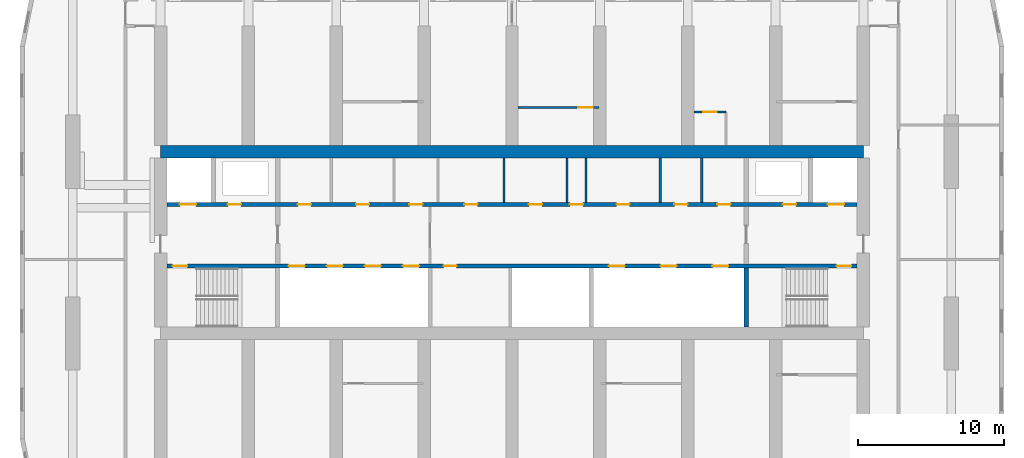
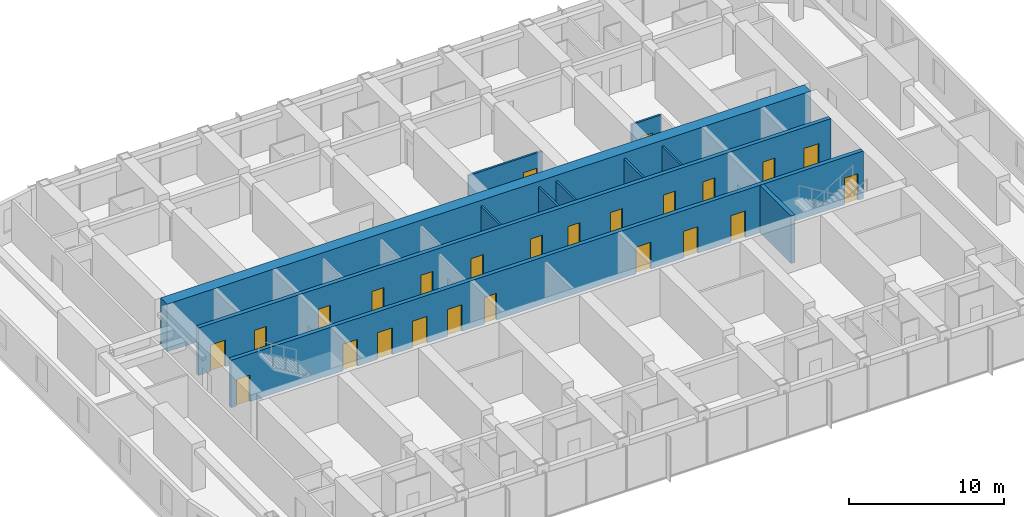
# One storey, part 13 of 22: 25 doors, 11 walls, 25 openings.
"""IFC4 building model written with IfcOpenShell, lengths in metres."""

import ifcopenshell
import ifcopenshell.guid

model = None  # the IFC model being written
_history = None  # IfcOwnerHistory: only IFC2X3 demands one
_inside = {}  # id of a spatial element -> (the spatial element, [elements in it])
_under = {}  # id of a project, library or spatial element -> (it, [spatial elements below it])
_declared = {}  # id of a project -> (the project, [libraries it declares])
_typed = {}  # id of a type object -> (the type object, [elements of that type])
_made_of = {}  # id of a material, layer set ... -> (it, [elements and type objects made of it])


def new_model(schema):
    """Start an empty IFC model of exactly this schema.

    Asked for "IFC4X3", IfcOpenShell would pick the latest addendum, in which some entities
    have other attributes; the version numbers below select the first issue.
    IFC2X3 requires an IfcOwnerHistory on every rooted entity: one is made here for all.
    """
    global model, _history
    if schema == "IFC4X3":
        model = ifcopenshell.file(schema_version=(4, 3, 0, 0))
    else:
        model = ifcopenshell.file(schema=schema)
    _inside.clear()
    _under.clear()
    _declared.clear()
    _typed.clear()
    _made_of.clear()
    _history = None
    if model.schema == "IFC2X3":
        org = make("IfcOrganization", Name="unknown")
        user = make(
            "IfcPersonAndOrganization",
            ThePerson=make("IfcPerson", FamilyName="unknown"),
            TheOrganization=org,
        )
        app = make(
            "IfcApplication",
            ApplicationDeveloper=org,
            Version="unknown",
            ApplicationFullName="unknown",
            ApplicationIdentifier="unknown",
        )
        _history = make(
            "IfcOwnerHistory",
            OwningUser=user,
            OwningApplication=app,
            ChangeAction="ADDED",
            CreationDate=0,
        )
    return model


def make(cls, **values):
    """One entity of the class cls with the attributes given. An attribute that is None is left unset."""
    return model.create_entity(
        cls, **{name: value for name, value in values.items() if value is not None}
    )


def rooted(cls, **values):
    """An entity with a GlobalId (a new one), such as an element, a storey or a relation."""
    return make(cls, GlobalId=ifcopenshell.guid.new(), OwnerHistory=_history, **values)


def si_unit(unit_type, name, prefix=None):
    """IfcSIUnit, for example si_unit("LENGTHUNIT", "METRE", prefix="MILLI")."""
    return make("IfcSIUnit", UnitType=unit_type, Prefix=prefix, Name=name)


def assignment(units):
    """IfcUnitAssignment: the units of a project."""
    return None if units is None else make("IfcUnitAssignment", Units=units)


def point(xyz):
    """IfcCartesianPoint."""
    return None if xyz is None else make("IfcCartesianPoint", Coordinates=xyz)


def direction(xyz):
    """IfcDirection."""
    return None if xyz is None else make("IfcDirection", DirectionRatios=xyz)


def frame(location, z_axis=None, x_axis=None):
    """IfcAxis2Placement3D, a coordinate frame: its origin and axes. An axis left out is left unset."""
    return make(
        "IfcAxis2Placement3D",
        Location=point(location),
        Axis=direction(z_axis),
        RefDirection=direction(x_axis),
    )


def frame_2d(location, x_axis=None):
    """IfcAxis2Placement2D, a coordinate frame in the plane: its origin and x axis."""
    return make(
        "IfcAxis2Placement2D", Location=point(location), RefDirection=direction(x_axis)
    )


def origin():
    """The frame at (0, 0, 0) with its axes left unset."""
    return frame((0.0, 0.0, 0.0))


def place(relative_to, where):
    """IfcLocalPlacement: puts the frame where relative to a parent placement (None: the world)."""
    return make(
        "IfcLocalPlacement", PlacementRelTo=relative_to, RelativePlacement=where
    )


def context(
    kind, dimensions, precision=None, world=None, true_north=None, identifier=None
):
    """IfcGeometricRepresentationContext, for example the 3D "Model" context."""
    return make(
        "IfcGeometricRepresentationContext",
        ContextIdentifier=identifier,
        ContextType=kind,
        CoordinateSpaceDimension=dimensions,
        Precision=precision,
        WorldCoordinateSystem=world,
        TrueNorth=true_north,
    )


def subcontext(parent, identifier, kind, view, scale=None):
    """IfcGeometricRepresentationSubContext, for example "Body" below "Model"."""
    return make(
        "IfcGeometricRepresentationSubContext",
        ContextIdentifier=identifier,
        ContextType=kind,
        ParentContext=parent,
        TargetScale=scale,
        TargetView=view,
    )


def project(units=None, contexts=None):
    """IfcProject with its units and contexts."""
    return rooted(
        "IfcProject",
        Name="project",
        RepresentationContexts=contexts,
        UnitsInContext=assignment(units),
    )


def spatial(cls, under=None, at=None, **own):
    """A site, building, storey or space (cls), placed at a placement, below another one or the project."""
    s = rooted(cls, ObjectPlacement=at, **own)
    if under is not None:
        _under.setdefault(under.id(), (under, []))[1].append(s)
    return s


def profile(cls, at=None, kind="AREA", **sizes):
    """A parametric profile (cls). Its sizes go by their IFC names, for example OverallWidth=200.0."""
    return make(cls, ProfileType=kind, Position=at, **sizes)


def rectangle(**sizes):
    """IfcRectangleProfileDef."""
    return profile("IfcRectangleProfileDef", **sizes)


def extrude(swept, where, along, depth):
    """IfcExtrudedAreaSolid: the profile swept, set in the frame where, extruded along a direction by depth."""
    return make(
        "IfcExtrudedAreaSolid",
        SweptArea=swept,
        Position=where,
        ExtrudedDirection=direction(along),
        Depth=depth,
    )


def shape(context_of_items, identifier, shape_type, items):
    """IfcShapeRepresentation: the items that make up one representation, for example the "Body"."""
    return make(
        "IfcShapeRepresentation",
        ContextOfItems=context_of_items,
        RepresentationIdentifier=identifier,
        RepresentationType=shape_type,
        Items=items,
    )


def material(Name=None, Category=None):
    """IfcMaterial."""
    return make("IfcMaterial", Name=Name, Category=Category)


def layer(
    of_material, thickness, ventilated=None, Name=None, Category=None, Priority=None
):
    """IfcMaterialLayer: one layer of a wall or slab, of a material (None: an air gap)."""
    return make(
        "IfcMaterialLayer",
        Material=of_material,
        LayerThickness=thickness,
        IsVentilated=ventilated,
        Name=Name,
        Category=Category,
        Priority=Priority,
    )


def layer_set(layers, Name=None):
    """IfcMaterialLayerSet."""
    return make("IfcMaterialLayerSet", MaterialLayers=layers, LayerSetName=Name)


def made_of(thing, what):
    """Note that an element or type object is made of a material, layer set ...; save() writes the relation."""
    if what is not None:
        _made_of.setdefault(what.id(), (what, []))[1].append(thing)
    return thing


def type_object(cls, material=None, **own):
    """A type object (cls), such as IfcWallType, which elements share."""
    return made_of(rooted(cls, **own), material)


def element(
    cls,
    number,
    at=None,
    inside=None,
    cuts=None,
    type_object=None,
    material=None,
    context=None,
    identifier="Body",
    shape_type=None,
    held_by="IfcProductDefinitionShape",
    body=None,
    shapes=None,
    **own,
):
    """One element of the class cls, such as IfcWall. Its Tag is "e" and its number.

    at: its placement. inside: the storey or other place that contains it. cuts: it is an
    opening in that element (IfcRelVoidsElement). A single representation is given by context,
    identifier, shape_type and body (its items); several are given by shapes. held_by: the class
    of the entity that holds the representations. save() writes the other relations.
    """
    e = rooted(cls, Tag="e%d" % number, ObjectPlacement=at, **own)
    if body is not None:
        shapes = [shape(context, identifier, shape_type, body)]
    if shapes is not None:
        e.Representation = make(held_by, Representations=shapes)
    if inside is not None:
        _inside.setdefault(inside.id(), (inside, []))[1].append(e)
    if cuts is not None:
        rooted(
            "IfcRelVoidsElement", RelatingBuildingElement=cuts, RelatedOpeningElement=e
        )
    if type_object is not None:
        _typed.setdefault(type_object.id(), (type_object, []))[1].append(e)
    return made_of(e, material)


def fill(opening, filler):
    """IfcRelFillsElement: the door or window that sits in an opening."""
    return rooted(
        "IfcRelFillsElement",
        RelatingOpeningElement=opening,
        RelatedBuildingElement=filler,
    )


def aggregate(whole, parts):
    """IfcRelAggregates: a whole, such as a stair, and the parts it consists of."""
    return rooted("IfcRelAggregates", RelatingObject=whole, RelatedObjects=parts)


def save(model, path):
    """Write the relations noted so far, then the file.

    IfcRelAggregates (storeys below a building ...), IfcRelContainedInSpatialStructure (elements
    in a storey), IfcRelDefinesByType, IfcRelAssociatesMaterial and IfcRelDeclares: one each for
    every whole, place, type object, material and project.
    """
    for whole, parts in _under.values():
        aggregate(whole, parts)
    for where, things in _inside.values():
        rooted(
            "IfcRelContainedInSpatialStructure",
            RelatedElements=things,
            RelatingStructure=where,
        )
    for kind, things in _typed.values():
        rooted("IfcRelDefinesByType", RelatedObjects=things, RelatingType=kind)
    for what, things in _made_of.values():
        rooted("IfcRelAssociatesMaterial", RelatedObjects=things, RelatingMaterial=what)
    for by, libraries in _declared.values():
        rooted("IfcRelDeclares", RelatingContext=by, RelatedDefinitions=libraries)
    model.write(path)


model = new_model("IFC4")

# Units and contexts
model_context = context("Model", 3, precision=1e-05, world=origin(), true_north=direction((0.0, 1.0)))
body_context = subcontext(model_context, "Body", "Model", "MODEL_VIEW")
ifc_project = project(units=[si_unit("LENGTHUNIT", "METRE"), si_unit("AREAUNIT", "SQUARE_METRE"), si_unit("VOLUMEUNIT", "CUBIC_METRE"), si_unit("PLANEANGLEUNIT", "RADIAN"), si_unit("MASSUNIT", "GRAM", prefix="KILO")], contexts=[model_context])

# Site, building, storey
site_placement = place(None, origin())
site = spatial("IfcSite", under=ifc_project, at=site_placement, CompositionType="ELEMENT")
building_placement = place(site_placement, origin())
building = spatial("IfcBuilding", under=site, at=building_placement, Name="Orbita Commons", CompositionType="ELEMENT")
storey_placement = place(building_placement, frame((0.0, 0.0, 189.85009765625)))
storey = spatial("IfcBuildingStorey", under=building, at=storey_placement, Name="L47", CompositionType="ELEMENT", Elevation=189.85009765625)

# Wall, openings, doors
ifc_material_1 = material(Name="Concrete C50/60", Category="concrete")
ifc_layer_1 = layer(ifc_material_1, 0.300048828125)
ifc_layer_set_1 = layer_set([ifc_layer_1], Name="Concrete C50/60")
wall_type_1 = type_object("IfcWallType", Name="Core inner wall 300 C50/60", PredefinedType="SHEAR", material=ifc_layer_set_1)
wall_1_placement = place(storey_placement, frame((18.425048828125, 30.39990234375, 0.0), z_axis=(0.0, 0.0, 1.0), x_axis=(1.0, 0.0, 0.0)))
wall_1 = element("IfcWall", 1, at=wall_1_placement, inside=storey, type_object=wall_type_1, Name="Lobby wall south L47", PredefinedType="SHEAR", context=body_context, shape_type="SweptSolid", body=[
    extrude(rectangle(XDim=47.14990234375, YDim=0.300048828125, at=frame_2d((23.574951171875, 0.0))), origin(), (0.0, 0.0, 1.0), 3.75),
])
opening_1_placement = place(wall_1_placement, frame((0.39990234375, 0.0, 0.0)))
opening_1 = element("IfcOpeningElement", 2, at=opening_1_placement, cuts=wall_1, Name="Opening D02", PredefinedType="OPENING", context=body_context, shape_type="SweptSolid", body=[
    extrude(rectangle(XDim=1.0, YDim=2.10009765625, at=frame_2d((0.5, 1.050048828125))), frame((0.0, 0.159912109375, 0.0), z_axis=(0.0, -1.0, 0.0), x_axis=(1.0, 0.0, 0.0)), (0.0, 0.0, 1.0), 0.320068359375),
])
opening_2_placement = place(wall_1_placement, frame((45.75, 0.0, 0.0)))
opening_2 = element("IfcOpeningElement", 3, at=opening_2_placement, cuts=wall_1, Name="Opening D02", PredefinedType="OPENING", context=body_context, shape_type="SweptSolid", body=[
    extrude(rectangle(XDim=1.0, YDim=2.10009765625, at=frame_2d((0.5, 1.050048828125))), frame((0.0, 0.159912109375, 0.0), z_axis=(0.0, -1.0, 0.0), x_axis=(1.0, 0.0, 0.0)), (0.0, 0.0, 1.0), 0.320068359375),
])
opening_3_placement = place(wall_1_placement, frame((8.324951171875, 0.0, 0.0)))
opening_3 = element("IfcOpeningElement", 4, at=opening_3_placement, cuts=wall_1, Name="Opening LD02", PredefinedType="OPENING", context=body_context, shape_type="SweptSolid", body=[
    extrude(rectangle(XDim=1.10009765625, YDim=2.10009765625, at=frame_2d((0.550048828125, 1.050048828125))), frame((0.0, 0.159912109375, 0.0), z_axis=(0.0, -1.0, 0.0), x_axis=(1.0, 0.0, 0.0)), (0.0, 0.0, 1.0), 0.320068359375),
])
opening_4_placement = place(wall_1_placement, frame((10.925048828125, 0.0, 0.0)))
opening_4 = element("IfcOpeningElement", 5, at=opening_4_placement, cuts=wall_1, Name="Opening LD02", PredefinedType="OPENING", context=body_context, shape_type="SweptSolid", body=[
    extrude(rectangle(XDim=1.10009765625, YDim=2.10009765625, at=frame_2d((0.550048828125, 1.050048828125))), frame((0.0, 0.159912109375, 0.0), z_axis=(0.0, -1.0, 0.0), x_axis=(1.0, 0.0, 0.0)), (0.0, 0.0, 1.0), 0.320068359375),
])
opening_5_placement = place(wall_1_placement, frame((13.52490234375, 0.0, 0.0)))
opening_5 = element("IfcOpeningElement", 6, at=opening_5_placement, cuts=wall_1, Name="Opening LD02", PredefinedType="OPENING", context=body_context, shape_type="SweptSolid", body=[
    extrude(rectangle(XDim=1.10009765625, YDim=2.10009765625, at=frame_2d((0.550048828125, 1.050048828125))), frame((0.0, 0.159912109375, 0.0), z_axis=(0.0, -1.0, 0.0), x_axis=(1.0, 0.0, 0.0)), (0.0, 0.0, 1.0), 0.320068359375),
])
opening_6_placement = place(wall_1_placement, frame((16.125, 0.0, 0.0)))
opening_6 = element("IfcOpeningElement", 7, at=opening_6_placement, cuts=wall_1, Name="Opening LD02", PredefinedType="OPENING", context=body_context, shape_type="SweptSolid", body=[
    extrude(rectangle(XDim=1.10009765625, YDim=2.10009765625, at=frame_2d((0.550048828125, 1.050048828125))), frame((0.0, 0.159912109375, 0.0), z_axis=(0.0, -1.0, 0.0), x_axis=(1.0, 0.0, 0.0)), (0.0, 0.0, 1.0), 0.320068359375),
])
opening_7_placement = place(wall_1_placement, frame((18.89990234375, 0.0, 0.0)))
opening_7 = element("IfcOpeningElement", 8, at=opening_7_placement, cuts=wall_1, Name="Opening D05", PredefinedType="OPENING", context=body_context, shape_type="SweptSolid", body=[
    extrude(rectangle(XDim=0.89990234375, YDim=2.10009765625, at=frame_2d((0.449951171875, 1.050048828125))), frame((0.0, 0.159912109375, 0.0), z_axis=(0.0, -1.0, 0.0), x_axis=(1.0, 0.0, 0.0)), (0.0, 0.0, 1.0), 0.320068359375),
])
opening_8_placement = place(wall_1_placement, frame((30.191650390625, 0.0, 0.0)))
opening_8 = element("IfcOpeningElement", 9, at=opening_8_placement, cuts=wall_1, Name="Opening LD02", PredefinedType="OPENING", context=body_context, shape_type="SweptSolid", body=[
    extrude(rectangle(XDim=1.10009765625, YDim=2.10009765625, at=frame_2d((0.550048828125, 1.050048828125))), frame((0.0, 0.159912109375, 0.0), z_axis=(0.0, -1.0, 0.0), x_axis=(1.0, 0.0, 0.0)), (0.0, 0.0, 1.0), 0.320068359375),
])
opening_9_placement = place(wall_1_placement, frame((33.72509765625, 0.0, 0.0)))
opening_9 = element("IfcOpeningElement", 10, at=opening_9_placement, cuts=wall_1, Name="Opening LD02", PredefinedType="OPENING", context=body_context, shape_type="SweptSolid", body=[
    extrude(rectangle(XDim=1.10009765625, YDim=2.10009765625, at=frame_2d((0.550048828125, 1.050048828125))), frame((0.0, 0.159912109375, 0.0), z_axis=(0.0, -1.0, 0.0), x_axis=(1.0, 0.0, 0.0)), (0.0, 0.0, 1.0), 0.320068359375),
])
opening_10_placement = place(wall_1_placement, frame((37.25830078125, 0.0, 0.0)))
opening_10 = element("IfcOpeningElement", 11, at=opening_10_placement, cuts=wall_1, Name="Opening LD02", PredefinedType="OPENING", context=body_context, shape_type="SweptSolid", body=[
    extrude(rectangle(XDim=1.10009765625, YDim=2.10009765625, at=frame_2d((0.550048828125, 1.050048828125))), frame((0.0, 0.159912109375, 0.0), z_axis=(0.0, -1.0, 0.0), x_axis=(1.0, 0.0, 0.0)), (0.0, 0.0, 1.0), 0.320068359375),
])
ifc_material_2 = material(Name="Steel-faced fire door leaf", Category="steel")
door_type_1 = type_object("IfcDoorType", Name="Fire door 90 min 1000x2100", OperationType="SINGLE_SWING_LEFT", PredefinedType="DOOR", material=ifc_material_2)
door_1_placement = place(opening_1_placement, origin())
door_1 = element("IfcDoor", 12, at=door_1_placement, inside=storey, type_object=door_type_1, Name="Stair S1 door", OperationType="SINGLE_SWING_LEFT", OverallHeight=2.10009765625, OverallWidth=1.0, PredefinedType="DOOR", context=body_context, shape_type="SweptSolid", body=[
    extrude(rectangle(XDim=1.0, YDim=2.10009765625, at=frame_2d((0.5, 1.050048828125))), frame((0.0, 0.02490234375, 0.0), z_axis=(0.0, -1.0, 0.0), x_axis=(1.0, 0.0, 0.0)), (0.0, 0.0, 1.0), 0.050048828125),
])
fill(opening_1, door_1)
door_2_placement = place(opening_2_placement, origin())
door_2 = element("IfcDoor", 13, at=door_2_placement, inside=storey, type_object=door_type_1, Name="Stair S2 door", OperationType="SINGLE_SWING_LEFT", OverallHeight=2.10009765625, OverallWidth=1.0, PredefinedType="DOOR", context=body_context, shape_type="SweptSolid", body=[
    extrude(rectangle(XDim=1.0, YDim=2.10009765625, at=frame_2d((0.5, 1.050048828125))), frame((0.0, 0.02490234375, 0.0), z_axis=(0.0, -1.0, 0.0), x_axis=(1.0, 0.0, 0.0)), (0.0, 0.0, 1.0), 0.050048828125),
])
fill(opening_2, door_2)
ifc_material_3 = material(Name="Steel-faced fire door leaf", Category="steel")
door_type_2 = type_object("IfcDoorType", Name="Lift landing door 1100x2100", OperationType="DOUBLE_DOOR_SLIDING", PredefinedType="DOOR", material=ifc_material_3)
door_3_placement = place(opening_3_placement, origin())
door_3 = element("IfcDoor", 14, at=door_3_placement, inside=storey, type_object=door_type_2, Name="Lift P31 landing door", OperationType="DOUBLE_DOOR_SLIDING", OverallHeight=2.10009765625, OverallWidth=1.10009765625, PredefinedType="DOOR", context=body_context, shape_type="SweptSolid", body=[
    extrude(rectangle(XDim=1.10009765625, YDim=2.10009765625, at=frame_2d((0.550048828125, 1.050048828125))), frame((0.0, 0.02490234375, 0.0), z_axis=(0.0, -1.0, 0.0), x_axis=(1.0, 0.0, 0.0)), (0.0, 0.0, 1.0), 0.050048828125),
])
fill(opening_3, door_3)
door_4_placement = place(opening_4_placement, origin())
door_4 = element("IfcDoor", 15, at=door_4_placement, inside=storey, type_object=door_type_2, Name="Lift P32 landing door", OperationType="DOUBLE_DOOR_SLIDING", OverallHeight=2.10009765625, OverallWidth=1.10009765625, PredefinedType="DOOR", context=body_context, shape_type="SweptSolid", body=[
    extrude(rectangle(XDim=1.10009765625, YDim=2.10009765625, at=frame_2d((0.550048828125, 1.050048828125))), frame((0.0, 0.02490234375, 0.0), z_axis=(0.0, -1.0, 0.0), x_axis=(1.0, 0.0, 0.0)), (0.0, 0.0, 1.0), 0.050048828125),
])
fill(opening_4, door_4)
door_5_placement = place(opening_5_placement, origin())
door_5 = element("IfcDoor", 16, at=door_5_placement, inside=storey, type_object=door_type_2, Name="Lift P33 landing door", OperationType="DOUBLE_DOOR_SLIDING", OverallHeight=2.10009765625, OverallWidth=1.10009765625, PredefinedType="DOOR", context=body_context, shape_type="SweptSolid", body=[
    extrude(rectangle(XDim=1.10009765625, YDim=2.10009765625, at=frame_2d((0.550048828125, 1.050048828125))), frame((0.0, 0.02490234375, 0.0), z_axis=(0.0, -1.0, 0.0), x_axis=(1.0, 0.0, 0.0)), (0.0, 0.0, 1.0), 0.050048828125),
])
fill(opening_5, door_5)
door_6_placement = place(opening_6_placement, origin())
door_6 = element("IfcDoor", 17, at=door_6_placement, inside=storey, type_object=door_type_2, Name="Lift P34 landing door", OperationType="DOUBLE_DOOR_SLIDING", OverallHeight=2.10009765625, OverallWidth=1.10009765625, PredefinedType="DOOR", context=body_context, shape_type="SweptSolid", body=[
    extrude(rectangle(XDim=1.10009765625, YDim=2.10009765625, at=frame_2d((0.550048828125, 1.050048828125))), frame((0.0, 0.02490234375, 0.0), z_axis=(0.0, -1.0, 0.0), x_axis=(1.0, 0.0, 0.0)), (0.0, 0.0, 1.0), 0.050048828125),
])
fill(opening_6, door_6)
door_7_placement = place(opening_8_placement, origin())
door_7 = element("IfcDoor", 18, at=door_7_placement, inside=storey, type_object=door_type_2, Name="Lift SV1 landing door", OperationType="DOUBLE_DOOR_SLIDING", OverallHeight=2.10009765625, OverallWidth=1.10009765625, PredefinedType="DOOR", context=body_context, shape_type="SweptSolid", body=[
    extrude(rectangle(XDim=1.10009765625, YDim=2.10009765625, at=frame_2d((0.550048828125, 1.050048828125))), frame((0.0, 0.02490234375, 0.0), z_axis=(0.0, -1.0, 0.0), x_axis=(1.0, 0.0, 0.0)), (0.0, 0.0, 1.0), 0.050048828125),
])
fill(opening_8, door_7)
door_8_placement = place(opening_9_placement, origin())
door_8 = element("IfcDoor", 19, at=door_8_placement, inside=storey, type_object=door_type_2, Name="Lift SV2 landing door", OperationType="DOUBLE_DOOR_SLIDING", OverallHeight=2.10009765625, OverallWidth=1.10009765625, PredefinedType="DOOR", context=body_context, shape_type="SweptSolid", body=[
    extrude(rectangle(XDim=1.10009765625, YDim=2.10009765625, at=frame_2d((0.550048828125, 1.050048828125))), frame((0.0, 0.02490234375, 0.0), z_axis=(0.0, -1.0, 0.0), x_axis=(1.0, 0.0, 0.0)), (0.0, 0.0, 1.0), 0.050048828125),
])
fill(opening_9, door_8)
door_9_placement = place(opening_10_placement, origin())
door_9 = element("IfcDoor", 20, at=door_9_placement, inside=storey, type_object=door_type_2, Name="Lift SV3 landing door", OperationType="DOUBLE_DOOR_SLIDING", OverallHeight=2.10009765625, OverallWidth=1.10009765625, PredefinedType="DOOR", context=body_context, shape_type="SweptSolid", body=[
    extrude(rectangle(XDim=1.10009765625, YDim=2.10009765625, at=frame_2d((0.550048828125, 1.050048828125))), frame((0.0, 0.02490234375, 0.0), z_axis=(0.0, -1.0, 0.0), x_axis=(1.0, 0.0, 0.0)), (0.0, 0.0, 1.0), 0.050048828125),
])
fill(opening_10, door_9)
ifc_material_4 = material(Name="Steel-faced fire door leaf", Category="steel")
door_type_3 = type_object("IfcDoorType", Name="Service door 20 min 900x2100", OperationType="SINGLE_SWING_LEFT", PredefinedType="DOOR", material=ifc_material_4)
door_10_placement = place(opening_7_placement, origin())
door_10 = element("IfcDoor", 21, at=door_10_placement, inside=storey, type_object=door_type_3, Name="Residents' store door", OperationType="SINGLE_SWING_LEFT", OverallHeight=2.10009765625, OverallWidth=0.89990234375, PredefinedType="DOOR", context=body_context, shape_type="SweptSolid", body=[
    extrude(rectangle(XDim=0.89990234375, YDim=2.10009765625, at=frame_2d((0.449951171875, 1.050048828125))), frame((0.0, 0.02490234375, 0.0), z_axis=(0.0, -1.0, 0.0), x_axis=(1.0, 0.0, 0.0)), (0.0, 0.0, 1.0), 0.050048828125),
])
fill(opening_7, door_10)

wall_2_placement = place(storey_placement, frame((18.425048828125, 34.60009765625, 0.0), z_axis=(0.0, 0.0, 1.0), x_axis=(1.0, 0.0, 0.0)))
wall_2 = element("IfcWall", 22, at=wall_2_placement, inside=storey, type_object=wall_type_1, Name="Lobby wall north L47", PredefinedType="SHEAR", context=body_context, shape_type="SweptSolid", body=[
    extrude(rectangle(XDim=47.14990234375, YDim=0.300048828125, at=frame_2d((23.574951171875, 0.0))), origin(), (0.0, 0.0, 1.0), 3.75),
])
opening_11_placement = place(wall_2_placement, frame((0.89990234375, 0.0, 0.0)))
opening_11 = element("IfcOpeningElement", 23, at=opening_11_placement, cuts=wall_2, Name="Opening LD01", PredefinedType="OPENING", context=body_context, shape_type="SweptSolid", body=[
    extrude(rectangle(XDim=1.10009765625, YDim=2.10009765625, at=frame_2d((0.550048828125, 1.050048828125))), frame((0.0, 0.159912109375, 0.0), z_axis=(0.0, -1.0, 0.0), x_axis=(1.0, 0.0, 0.0)), (0.0, 0.0, 1.0), 0.320068359375),
])
opening_12_placement = place(wall_2_placement, frame((45.14990234375, 0.0, 0.0)))
opening_12 = element("IfcOpeningElement", 24, at=opening_12_placement, cuts=wall_2, Name="Opening LD01", PredefinedType="OPENING", context=body_context, shape_type="SweptSolid", body=[
    extrude(rectangle(XDim=1.10009765625, YDim=2.10009765625, at=frame_2d((0.550048828125, 1.050048828125))), frame((0.0, 0.159912109375, 0.0), z_axis=(0.0, -1.0, 0.0), x_axis=(1.0, 0.0, 0.0)), (0.0, 0.0, 1.0), 0.320068359375),
])
opening_13_placement = place(wall_2_placement, frame((4.175048828125, 0.0, 0.0)))
opening_13 = element("IfcOpeningElement", 25, at=opening_13_placement, cuts=wall_2, Name="Opening D03", PredefinedType="OPENING", context=body_context, shape_type="SweptSolid", body=[
    extrude(rectangle(XDim=0.89990234375, YDim=2.10009765625, at=frame_2d((0.449951171875, 1.050048828125))), frame((0.0, 0.159912109375, 0.0), z_axis=(0.0, -1.0, 0.0), x_axis=(1.0, 0.0, 0.0)), (0.0, 0.0, 1.0), 0.320068359375),
])
opening_14_placement = place(wall_2_placement, frame((42.074951171875, 0.0, 0.0)))
opening_14 = element("IfcOpeningElement", 26, at=opening_14_placement, cuts=wall_2, Name="Opening D03", PredefinedType="OPENING", context=body_context, shape_type="SweptSolid", body=[
    extrude(rectangle(XDim=0.89990234375, YDim=2.10009765625, at=frame_2d((0.449951171875, 1.050048828125))), frame((0.0, 0.159912109375, 0.0), z_axis=(0.0, -1.0, 0.0), x_axis=(1.0, 0.0, 0.0)), (0.0, 0.0, 1.0), 0.320068359375),
])
opening_15_placement = place(wall_2_placement, frame((8.950439453125, 0.0, 0.0)))
opening_15 = element("IfcOpeningElement", 27, at=opening_15_placement, cuts=wall_2, Name="Opening D05", PredefinedType="OPENING", context=body_context, shape_type="SweptSolid", body=[
    extrude(rectangle(XDim=0.89990234375, YDim=2.10009765625, at=frame_2d((0.449951171875, 1.050048828125))), frame((0.0, 0.159912109375, 0.0), z_axis=(0.0, -1.0, 0.0), x_axis=(1.0, 0.0, 0.0)), (0.0, 0.0, 1.0), 0.320068359375),
])
opening_16_placement = place(wall_2_placement, frame((12.923583984375, 0.0, 0.0)))
opening_16 = element("IfcOpeningElement", 28, at=opening_16_placement, cuts=wall_2, Name="Opening D03", PredefinedType="OPENING", context=body_context, shape_type="SweptSolid", body=[
    extrude(rectangle(XDim=0.89990234375, YDim=2.10009765625, at=frame_2d((0.449951171875, 1.050048828125))), frame((0.0, 0.159912109375, 0.0), z_axis=(0.0, -1.0, 0.0), x_axis=(1.0, 0.0, 0.0)), (0.0, 0.0, 1.0), 0.320068359375),
])
opening_17_placement = place(wall_2_placement, frame((16.5712890625, 0.0, 0.0)))
opening_17 = element("IfcOpeningElement", 29, at=opening_17_placement, cuts=wall_2, Name="Opening D03", PredefinedType="OPENING", context=body_context, shape_type="SweptSolid", body=[
    extrude(rectangle(XDim=0.89990234375, YDim=2.10009765625, at=frame_2d((0.449951171875, 1.050048828125))), frame((0.0, 0.159912109375, 0.0), z_axis=(0.0, -1.0, 0.0), x_axis=(1.0, 0.0, 0.0)), (0.0, 0.0, 1.0), 0.320068359375),
])
opening_18_placement = place(wall_2_placement, frame((20.32958984375, 0.0, 0.0)))
opening_18 = element("IfcOpeningElement", 30, at=opening_18_placement, cuts=wall_2, Name="Opening D03", PredefinedType="OPENING", context=body_context, shape_type="SweptSolid", body=[
    extrude(rectangle(XDim=0.89990234375, YDim=2.10009765625, at=frame_2d((0.449951171875, 1.050048828125))), frame((0.0, 0.159912109375, 0.0), z_axis=(0.0, -1.0, 0.0), x_axis=(1.0, 0.0, 0.0)), (0.0, 0.0, 1.0), 0.320068359375),
])
opening_19_placement = place(wall_2_placement, frame((24.735595703125, 0.0, 0.0)))
opening_19 = element("IfcOpeningElement", 31, at=opening_19_placement, cuts=wall_2, Name="Opening D03", PredefinedType="OPENING", context=body_context, shape_type="SweptSolid", body=[
    extrude(rectangle(XDim=0.89990234375, YDim=2.10009765625, at=frame_2d((0.449951171875, 1.050048828125))), frame((0.0, 0.159912109375, 0.0), z_axis=(0.0, -1.0, 0.0), x_axis=(1.0, 0.0, 0.0)), (0.0, 0.0, 1.0), 0.320068359375),
])
opening_20_placement = place(wall_2_placement, frame((27.533447265625, 0.0, 0.0)))
opening_20 = element("IfcOpeningElement", 32, at=opening_20_placement, cuts=wall_2, Name="Opening D03", PredefinedType="OPENING", context=body_context, shape_type="SweptSolid", body=[
    extrude(rectangle(XDim=0.89990234375, YDim=2.10009765625, at=frame_2d((0.449951171875, 1.050048828125))), frame((0.0, 0.159912109375, 0.0), z_axis=(0.0, -1.0, 0.0), x_axis=(1.0, 0.0, 0.0)), (0.0, 0.0, 1.0), 0.320068359375),
])
opening_21_placement = place(wall_2_placement, frame((30.71630859375, 0.0, 0.0)))
opening_21 = element("IfcOpeningElement", 33, at=opening_21_placement, cuts=wall_2, Name="Opening D05", PredefinedType="OPENING", context=body_context, shape_type="SweptSolid", body=[
    extrude(rectangle(XDim=0.89990234375, YDim=2.10009765625, at=frame_2d((0.449951171875, 1.050048828125))), frame((0.0, 0.159912109375, 0.0), z_axis=(0.0, -1.0, 0.0), x_axis=(1.0, 0.0, 0.0)), (0.0, 0.0, 1.0), 0.320068359375),
])
opening_22_placement = place(wall_2_placement, frame((34.667236328125, 0.0, 0.0)))
opening_22 = element("IfcOpeningElement", 34, at=opening_22_placement, cuts=wall_2, Name="Opening D03", PredefinedType="OPENING", context=body_context, shape_type="SweptSolid", body=[
    extrude(rectangle(XDim=0.89990234375, YDim=2.10009765625, at=frame_2d((0.449951171875, 1.050048828125))), frame((0.0, 0.159912109375, 0.0), z_axis=(0.0, -1.0, 0.0), x_axis=(1.0, 0.0, 0.0)), (0.0, 0.0, 1.0), 0.320068359375),
])
opening_23_placement = place(wall_2_placement, frame((37.605224609375, 0.0, 0.0)))
opening_23 = element("IfcOpeningElement", 35, at=opening_23_placement, cuts=wall_2, Name="Opening D03", PredefinedType="OPENING", context=body_context, shape_type="SweptSolid", body=[
    extrude(rectangle(XDim=0.89990234375, YDim=2.10009765625, at=frame_2d((0.449951171875, 1.050048828125))), frame((0.0, 0.159912109375, 0.0), z_axis=(0.0, -1.0, 0.0), x_axis=(1.0, 0.0, 0.0)), (0.0, 0.0, 1.0), 0.320068359375),
])
ifc_material_5 = material(Name="Steel-faced fire door leaf", Category="steel")
door_type_4 = type_object("IfcDoorType", Name="Firefighting lift landing door 1100x2100", OperationType="DOUBLE_DOOR_SLIDING", PredefinedType="DOOR", material=ifc_material_5)
door_11_placement = place(opening_11_placement, origin())
door_11 = element("IfcDoor", 36, at=door_11_placement, inside=storey, type_object=door_type_4, Name="Firefighting lift FL1 landing door", OperationType="DOUBLE_DOOR_SLIDING", OverallHeight=2.10009765625, OverallWidth=1.10009765625, PredefinedType="DOOR", context=body_context, shape_type="SweptSolid", body=[
    extrude(rectangle(XDim=1.10009765625, YDim=2.10009765625, at=frame_2d((0.550048828125, 1.050048828125))), frame((0.0, 0.02490234375, 0.0), z_axis=(0.0, -1.0, 0.0), x_axis=(1.0, 0.0, 0.0)), (0.0, 0.0, 1.0), 0.050048828125),
])
fill(opening_11, door_11)
door_12_placement = place(opening_12_placement, origin())
door_12 = element("IfcDoor", 37, at=door_12_placement, inside=storey, type_object=door_type_4, Name="Firefighting lift FL2 landing door", OperationType="DOUBLE_DOOR_SLIDING", OverallHeight=2.10009765625, OverallWidth=1.10009765625, PredefinedType="DOOR", context=body_context, shape_type="SweptSolid", body=[
    extrude(rectangle(XDim=1.10009765625, YDim=2.10009765625, at=frame_2d((0.550048828125, 1.050048828125))), frame((0.0, 0.02490234375, 0.0), z_axis=(0.0, -1.0, 0.0), x_axis=(1.0, 0.0, 0.0)), (0.0, 0.0, 1.0), 0.050048828125),
])
fill(opening_12, door_12)
door_13_placement = place(opening_15_placement, origin())
door_13 = element("IfcDoor", 38, at=door_13_placement, inside=storey, type_object=door_type_3, Name="Accessible WC door", OperationType="SINGLE_SWING_LEFT", OverallHeight=2.10009765625, OverallWidth=0.89990234375, PredefinedType="DOOR", context=body_context, shape_type="SweptSolid", body=[
    extrude(rectangle(XDim=0.89990234375, YDim=2.10009765625, at=frame_2d((0.449951171875, 1.050048828125))), frame((0.0, 0.02490234375, 0.0), z_axis=(0.0, -1.0, 0.0), x_axis=(1.0, 0.0, 0.0)), (0.0, 0.0, 1.0), 0.050048828125),
])
fill(opening_15, door_13)
door_14_placement = place(opening_21_placement, origin())
door_14 = element("IfcDoor", 39, at=door_14_placement, inside=storey, type_object=door_type_3, Name="Guest pantry door", OperationType="SINGLE_SWING_LEFT", OverallHeight=2.10009765625, OverallWidth=0.89990234375, PredefinedType="DOOR", context=body_context, shape_type="SweptSolid", body=[
    extrude(rectangle(XDim=0.89990234375, YDim=2.10009765625, at=frame_2d((0.449951171875, 1.050048828125))), frame((0.0, 0.02490234375, 0.0), z_axis=(0.0, -1.0, 0.0), x_axis=(1.0, 0.0, 0.0)), (0.0, 0.0, 1.0), 0.050048828125),
])
fill(opening_21, door_14)
ifc_material_6 = material(Name="Steel-faced fire door leaf", Category="steel")
door_type_5 = type_object("IfcDoorType", Name="Shaft access door 90 min 900x2100", OperationType="SINGLE_SWING_LEFT", PredefinedType="DOOR", material=ifc_material_6)
door_15_placement = place(opening_13_placement, origin())
door_15 = element("IfcDoor", 40, at=door_15_placement, inside=storey, type_object=door_type_5, Name="Riser door west", OperationType="SINGLE_SWING_LEFT", OverallHeight=2.10009765625, OverallWidth=0.89990234375, PredefinedType="DOOR", context=body_context, shape_type="SweptSolid", body=[
    extrude(rectangle(XDim=0.89990234375, YDim=2.10009765625, at=frame_2d((0.449951171875, 1.050048828125))), frame((0.0, 0.02490234375, 0.0), z_axis=(0.0, -1.0, 0.0), x_axis=(1.0, 0.0, 0.0)), (0.0, 0.0, 1.0), 0.050048828125),
])
fill(opening_13, door_15)
door_16_placement = place(opening_14_placement, origin())
door_16 = element("IfcDoor", 41, at=door_16_placement, inside=storey, type_object=door_type_5, Name="Riser door east", OperationType="SINGLE_SWING_LEFT", OverallHeight=2.10009765625, OverallWidth=0.89990234375, PredefinedType="DOOR", context=body_context, shape_type="SweptSolid", body=[
    extrude(rectangle(XDim=0.89990234375, YDim=2.10009765625, at=frame_2d((0.449951171875, 1.050048828125))), frame((0.0, 0.02490234375, 0.0), z_axis=(0.0, -1.0, 0.0), x_axis=(1.0, 0.0, 0.0)), (0.0, 0.0, 1.0), 0.050048828125),
])
fill(opening_14, door_16)
door_17_placement = place(opening_16_placement, origin())
door_17 = element("IfcDoor", 42, at=door_17_placement, inside=storey, type_object=door_type_5, Name="Refuse chute room door", OperationType="SINGLE_SWING_LEFT", OverallHeight=2.10009765625, OverallWidth=0.89990234375, PredefinedType="DOOR", context=body_context, shape_type="SweptSolid", body=[
    extrude(rectangle(XDim=0.89990234375, YDim=2.10009765625, at=frame_2d((0.449951171875, 1.050048828125))), frame((0.0, 0.02490234375, 0.0), z_axis=(0.0, -1.0, 0.0), x_axis=(1.0, 0.0, 0.0)), (0.0, 0.0, 1.0), 0.050048828125),
])
fill(opening_16, door_17)
door_18_placement = place(opening_17_placement, origin())
door_18 = element("IfcDoor", 43, at=door_18_placement, inside=storey, type_object=door_type_5, Name="Electrical riser room door", OperationType="SINGLE_SWING_LEFT", OverallHeight=2.10009765625, OverallWidth=0.89990234375, PredefinedType="DOOR", context=body_context, shape_type="SweptSolid", body=[
    extrude(rectangle(XDim=0.89990234375, YDim=2.10009765625, at=frame_2d((0.449951171875, 1.050048828125))), frame((0.0, 0.02490234375, 0.0), z_axis=(0.0, -1.0, 0.0), x_axis=(1.0, 0.0, 0.0)), (0.0, 0.0, 1.0), 0.050048828125),
])
fill(opening_17, door_18)
door_19_placement = place(opening_18_placement, origin())
door_19 = element("IfcDoor", 44, at=door_19_placement, inside=storey, type_object=door_type_5, Name="IT room door", OperationType="SINGLE_SWING_LEFT", OverallHeight=2.10009765625, OverallWidth=0.89990234375, PredefinedType="DOOR", context=body_context, shape_type="SweptSolid", body=[
    extrude(rectangle(XDim=0.89990234375, YDim=2.10009765625, at=frame_2d((0.449951171875, 1.050048828125))), frame((0.0, 0.02490234375, 0.0), z_axis=(0.0, -1.0, 0.0), x_axis=(1.0, 0.0, 0.0)), (0.0, 0.0, 1.0), 0.050048828125),
])
fill(opening_18, door_19)
door_20_placement = place(opening_19_placement, origin())
door_20 = element("IfcDoor", 45, at=door_20_placement, inside=storey, type_object=door_type_5, Name="Communications room door", OperationType="SINGLE_SWING_LEFT", OverallHeight=2.10009765625, OverallWidth=0.89990234375, PredefinedType="DOOR", context=body_context, shape_type="SweptSolid", body=[
    extrude(rectangle(XDim=0.89990234375, YDim=2.10009765625, at=frame_2d((0.449951171875, 1.050048828125))), frame((0.0, 0.02490234375, 0.0), z_axis=(0.0, -1.0, 0.0), x_axis=(1.0, 0.0, 0.0)), (0.0, 0.0, 1.0), 0.050048828125),
])
fill(opening_19, door_20)
door_21_placement = place(opening_20_placement, origin())
door_21 = element("IfcDoor", 46, at=door_21_placement, inside=storey, type_object=door_type_5, Name="Stair pressurisation duct door", OperationType="SINGLE_SWING_LEFT", OverallHeight=2.10009765625, OverallWidth=0.89990234375, PredefinedType="DOOR", context=body_context, shape_type="SweptSolid", body=[
    extrude(rectangle(XDim=0.89990234375, YDim=2.10009765625, at=frame_2d((0.449951171875, 1.050048828125))), frame((0.0, 0.02490234375, 0.0), z_axis=(0.0, -1.0, 0.0), x_axis=(1.0, 0.0, 0.0)), (0.0, 0.0, 1.0), 0.050048828125),
])
fill(opening_20, door_21)
door_22_placement = place(opening_22_placement, origin())
door_22 = element("IfcDoor", 47, at=door_22_placement, inside=storey, type_object=door_type_5, Name="Linen store door", OperationType="SINGLE_SWING_LEFT", OverallHeight=2.10009765625, OverallWidth=0.89990234375, PredefinedType="DOOR", context=body_context, shape_type="SweptSolid", body=[
    extrude(rectangle(XDim=0.89990234375, YDim=2.10009765625, at=frame_2d((0.449951171875, 1.050048828125))), frame((0.0, 0.02490234375, 0.0), z_axis=(0.0, -1.0, 0.0), x_axis=(1.0, 0.0, 0.0)), (0.0, 0.0, 1.0), 0.050048828125),
])
fill(opening_22, door_22)
door_23_placement = place(opening_23_placement, origin())
door_23 = element("IfcDoor", 48, at=door_23_placement, inside=storey, type_object=door_type_5, Name="Cleaners store door", OperationType="SINGLE_SWING_LEFT", OverallHeight=2.10009765625, OverallWidth=0.89990234375, PredefinedType="DOOR", context=body_context, shape_type="SweptSolid", body=[
    extrude(rectangle(XDim=0.89990234375, YDim=2.10009765625, at=frame_2d((0.449951171875, 1.050048828125))), frame((0.0, 0.02490234375, 0.0), z_axis=(0.0, -1.0, 0.0), x_axis=(1.0, 0.0, 0.0)), (0.0, 0.0, 1.0), 0.050048828125),
])
fill(opening_23, door_23)

# Walls
wall_3_placement = place(storey_placement, frame((58.0, 26.22509765625, 0.0), z_axis=(0.0, 0.0, 1.0), x_axis=(0.0, 1.0, 0.0)))
element("IfcWall", 49, at=wall_3_placement, inside=storey, type_object=wall_type_1, Name="Stair S2 wall L47", PredefinedType="SHEAR", context=body_context, shape_type="SweptSolid", body=[
    extrude(rectangle(XDim=4.02490234375, YDim=0.300048828125, at=frame_2d((2.012451171875, 0.0))), origin(), (0.0, 0.0, 1.0), 3.75),
])
ifc_material_7 = material(Name="Concrete blockwork", Category="masonry")
ifc_layer_2 = layer(ifc_material_7, 0.14990234375)
ifc_layer_set_2 = layer_set([ifc_layer_2], Name="Concrete blockwork")
wall_type_2 = type_object("IfcWallType", Name="Core partition 150 blockwork", PredefinedType="SOLIDWALL", material=ifc_layer_set_2)
for number, where, z_axis, x_axis, name in (
    (50, (41.463134765625, 34.75, 0.0), (0.0, 0.0, 1.0), (0.0, 1.0, 0.0), "Core partition 150 blockwork L47"),
    (51, (45.75830078125, 34.75, 0.0), (0.0, 0.0, 1.0), (0.0, 1.0, 0.0), "Core partition 150 blockwork L47"),
    (52, (47.058349609375, 34.75, 0.0), (0.0, 0.0, 1.0), (0.0, 1.0, 0.0), "Core partition 150 blockwork L47"),
    (53, (52.123779296875, 34.75, 0.0), (0.0, 0.0, 1.0), (0.0, 1.0, 0.0), "Core partition 150 blockwork L47"),
    (54, (54.960693359375, 34.75, 0.0), (0.0, 0.0, 1.0), (0.0, 1.0, 0.0), "Core partition 150 blockwork L47"),
):
    element("IfcWall", number, at=place(storey_placement, frame(where, z_axis=z_axis, x_axis=x_axis)), inside=storey, type_object=wall_type_2, Name=name, PredefinedType="SOLIDWALL", context=body_context, shape_type="SweptSolid", body=[
        extrude(rectangle(XDim=3.02490234375, YDim=0.14990234375, at=frame_2d((1.512451171875, 0.0))), origin(), (0.0, 0.0, 1.0), 3.2998046875),
    ])
ifc_material_8 = material(Name="Concrete C50/60", Category="concrete")
ifc_layer_3 = layer(ifc_material_8, 0.85009765625)
ifc_layer_set_3 = layer_set([ifc_layer_3], Name="Concrete C50/60")
wall_type_3 = type_object("IfcWallType", Name="Core wall 850 C50/60", PredefinedType="SHEAR", material=ifc_layer_set_3)
wall_4_placement = place(storey_placement, frame((18.0, 38.199951171875, 0.0), z_axis=(0.0, 0.0, 1.0), x_axis=(1.0, 0.0, 0.0)))
element("IfcWall", 55, at=wall_4_placement, inside=storey, type_object=wall_type_3, Name="Core spine wall north L47", PredefinedType="SHEAR", context=body_context, shape_type="SweptSolid", body=[
    extrude(rectangle(XDim=48.0, YDim=0.85009765625, at=frame_2d((24.0, 0.0))), origin(), (0.0, 0.0, 1.0), 3.75),
])

# Wall, opening, door
ifc_material_9 = material(Name="Gypsum plasterboard on steel studs", Category="steel")
ifc_layer_4 = layer(ifc_material_9, 0.14990234375)
ifc_layer_set_4 = layer_set([ifc_layer_4], Name="Gypsum plasterboard on steel studs")
wall_type_4 = type_object("IfcWallType", Name="Partition 150 plasterboard", PredefinedType="PARTITIONING", material=ifc_layer_set_4)
wall_5_placement = place(storey_placement, frame((47.925048828125, 41.22509765625, 0.0), z_axis=(0.0, 0.0, 1.0), x_axis=(-1.0, 0.0, 0.0)))
wall_5 = element("IfcWall", 56, at=wall_5_placement, inside=storey, type_object=wall_type_4, Name="Partition 150 plasterboard L47", PredefinedType="PARTITIONING", context=body_context, shape_type="SweptSolid", body=[
    extrude(rectangle(XDim=5.5, YDim=0.14990234375, at=frame_2d((2.75, 0.0))), origin(), (0.0, 0.0, 1.0), 3.2998046875),
])
opening_24_placement = place(wall_5_placement, frame((0.39990234375, 0.0, 0.0)))
opening_24 = element("IfcOpeningElement", 57, at=opening_24_placement, cuts=wall_5, Name="Opening D17", PredefinedType="OPENING", context=body_context, shape_type="SweptSolid", body=[
    extrude(rectangle(XDim=1.0, YDim=2.10009765625, at=frame_2d((0.5, 1.050048828125))), frame((0.0, 0.0849609375, 0.0), z_axis=(0.0, -1.0, 0.0), x_axis=(1.0, 0.0, 0.0)), (0.0, 0.0, 1.0), 0.169921875),
])
ifc_material_10 = material(Name="Steel-faced fire door leaf", Category="steel")
door_type_6 = type_object("IfcDoorType", Name="Shaft access door 90 min 1000x2100", OperationType="SINGLE_SWING_LEFT", PredefinedType="DOOR", material=ifc_material_10)
door_24_placement = place(opening_24_placement, origin())
door_24 = element("IfcDoor", 58, at=door_24_placement, inside=storey, type_object=door_type_6, Name="Electrical and data room L47-BDN42 door", OperationType="SINGLE_SWING_LEFT", OverallHeight=2.10009765625, OverallWidth=1.0, PredefinedType="DOOR", context=body_context, shape_type="SweptSolid", body=[
    extrude(rectangle(XDim=1.0, YDim=2.10009765625, at=frame_2d((0.5, 1.050048828125))), frame((0.0, 0.02490234375, 0.0), z_axis=(0.0, -1.0, 0.0), x_axis=(1.0, 0.0, 0.0)), (0.0, 0.0, 1.0), 0.050048828125),
])
fill(opening_24, door_24)

wall_6_placement = place(storey_placement, frame((56.625, 40.925048828125, 0.0), z_axis=(0.0, 0.0, 1.0), x_axis=(-1.0, 0.0, 0.0)))
wall_6 = element("IfcWall", 59, at=wall_6_placement, inside=storey, type_object=wall_type_4, Name="Partition 150 plasterboard L47", PredefinedType="PARTITIONING", context=body_context, shape_type="SweptSolid", body=[
    extrude(rectangle(XDim=2.199951171875, YDim=0.14990234375, at=frame_2d((1.10009765625, 0.0))), origin(), (0.0, 0.0, 1.0), 3.2998046875),
])
opening_25_placement = place(wall_6_placement, frame((0.64990234375, 0.0, 0.0)))
opening_25 = element("IfcOpeningElement", 60, at=opening_25_placement, cuts=wall_6, Name="Opening D05", PredefinedType="OPENING", context=body_context, shape_type="SweptSolid", body=[
    extrude(rectangle(XDim=0.89990234375, YDim=2.10009765625, at=frame_2d((0.449951171875, 1.050048828125))), frame((0.0, 0.0849609375, 0.0), z_axis=(0.0, -1.0, 0.0), x_axis=(1.0, 0.0, 0.0)), (0.0, 0.0, 1.0), 0.169921875),
])
door_25_placement = place(opening_25_placement, origin())
door_25 = element("IfcDoor", 61, at=door_25_placement, inside=storey, type_object=door_type_3, Name="Accessible WC L47-BDN54 door", OperationType="SINGLE_SWING_LEFT", OverallHeight=2.10009765625, OverallWidth=0.89990234375, PredefinedType="DOOR", context=body_context, shape_type="SweptSolid", body=[
    extrude(rectangle(XDim=0.89990234375, YDim=2.10009765625, at=frame_2d((0.449951171875, 1.050048828125))), frame((0.0, 0.02490234375, 0.0), z_axis=(0.0, -1.0, 0.0), x_axis=(1.0, 0.0, 0.0)), (0.0, 0.0, 1.0), 0.050048828125),
])
fill(opening_25, door_25)

save(model, "model.ifc")
